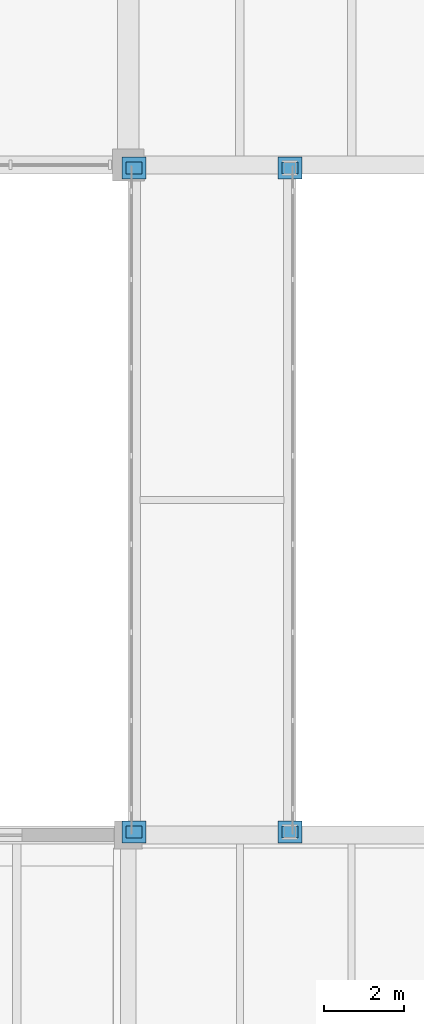
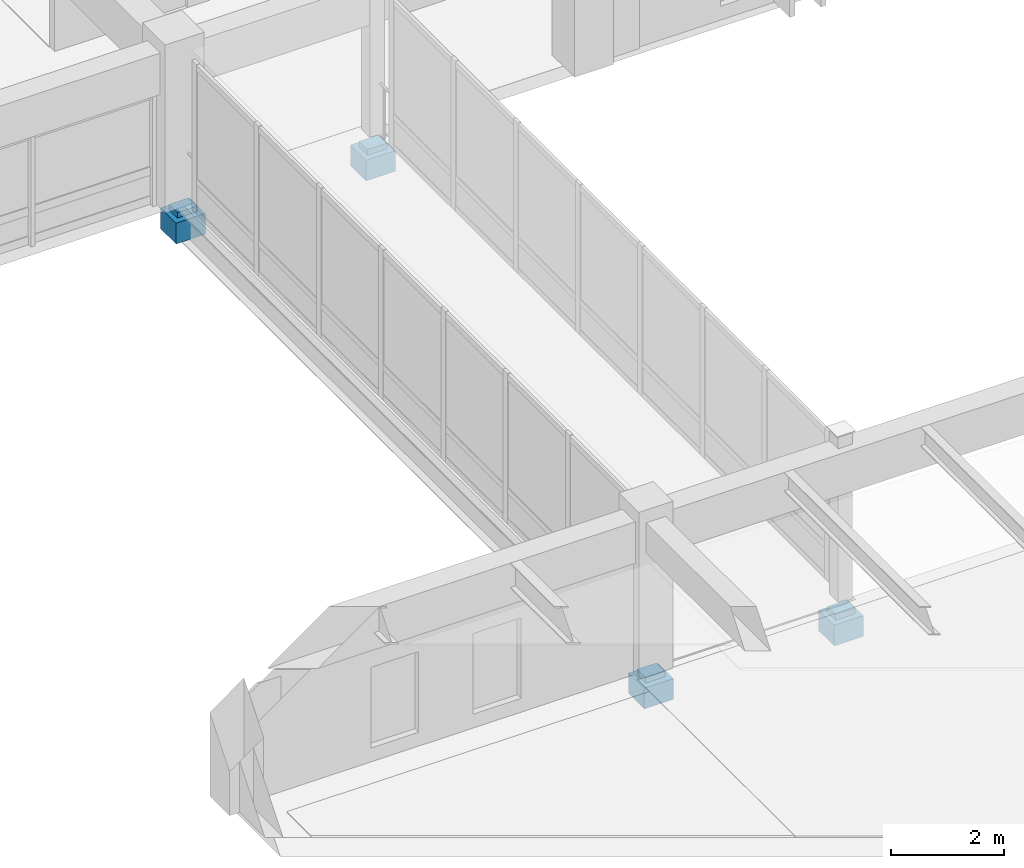
# One storey, part 87 of 118: 8 discrete accessories.
"""IFC4 building model written with IfcOpenShell, lengths in metres."""

from ifc_helpers import new_model, si_unit, direction, frame, origin, origin_2d, place, context, subcontext, project, spatial, rectangle, extrude, material, type_object, element, save


model = new_model("IFC4")

# Units and contexts
model_context = context("Model", 3, precision=1e-05, world=origin(), true_north=direction((0.0, 1.0)))
body_context = subcontext(model_context, "Body", "Model", "MODEL_VIEW")
ifc_project = project(units=[si_unit("LENGTHUNIT", "METRE"), si_unit("AREAUNIT", "SQUARE_METRE"), si_unit("VOLUMEUNIT", "CUBIC_METRE"), si_unit("PLANEANGLEUNIT", "RADIAN"), si_unit("MASSUNIT", "GRAM", prefix="KILO")], contexts=[model_context])

# Site, building, storey
site_placement = place(None, origin())
site = spatial("IfcSite", under=ifc_project, at=site_placement, CompositionType="ELEMENT")
building_placement = place(site_placement, origin())
building = spatial("IfcBuilding", under=site, at=building_placement, Name="Cumbredor Promenade Congress Hotel", CompositionType="ELEMENT")
storey_placement = place(building_placement, frame((0.0, 0.0, 3.919921875)))
storey = spatial("IfcBuildingStorey", under=building, at=storey_placement, Name="L01", CompositionType="ELEMENT", Elevation=3.919921875)

# Discrete accessories
ifc_material_1 = material(Name="Concrete C50/60", Category="concrete")
discrete_accessory_type_1 = type_object("IfcDiscreteAccessoryType", Name="Bridge Seat Corbel RC 600x550", PredefinedType="BRACKET", material=ifc_material_1)
for number, where, z_axis, x_axis, name in (
    (1, (151.35009765625, 67.280029296875, -0.7900390625), (0.0, 0.0, 1.0), (0.0, 1.0, 0.0), "L01 East Ballroom-to-Forum Glazed Bridge 550mm RC Bridge Seat Corbel 1"),
    (2, (155.25, 67.280029296875, -0.7900390625), (0.0, 0.0, 1.0), (0.0, 1.0, 0.0), "L01 East Ballroom-to-Forum Glazed Bridge 550mm RC Bridge Seat Corbel 2"),
    (3, (151.35009765625, 83.919921875, -0.7900390625), (0.0, 0.0, 1.0), (0.0, 1.0, 0.0), "L01 East Ballroom-to-Forum Glazed Bridge 550mm RC Bridge Seat Corbel 3"),
    (4, (155.25, 83.919921875, -0.7900390625), (0.0, 0.0, 1.0), (0.0, 1.0, 0.0), "L01 East Ballroom-to-Forum Glazed Bridge 550mm RC Bridge Seat Corbel 4"),
):
    element("IfcDiscreteAccessory", number, at=place(storey_placement, frame(where, z_axis=z_axis, x_axis=x_axis)), inside=storey, type_object=discrete_accessory_type_1, Name=name, PredefinedType="BRACKET", context=body_context, shape_type="SweptSolid", body=[
        extrude(rectangle(XDim=0.550048828125, YDim=0.60009765625, at=origin_2d()), origin(), (0.0, 0.0, 1.0), 0.449951171875),
    ])
ifc_material_2 = material(Name="Steel ASTM A572 Grade 50", Category="steel")
discrete_accessory_type_2 = type_object("IfcDiscreteAccessoryType", Name="Bridge Unguided PTFE Sliding Bearing BRG-01", PredefinedType="SHOE", material=ifc_material_2)
for number, where, z_axis, x_axis, name in (
    (5, (151.35009765625, 67.280029296875, -0.340087890625), (0.0, 0.0, 1.0), (0.0, 1.0, 0.0), "L01 East Ballroom-to-Forum Glazed Bridge Unguided PTFE Sliding Bearing BRG-01"),
    (6, (155.25, 67.280029296875, -0.340087890625), (0.0, 0.0, 1.0), (0.0, 1.0, 0.0), "L01 East Ballroom-to-Forum Glazed Bridge Unguided PTFE Sliding Bearing BRG-01"),
    (7, (151.35009765625, 83.919921875, -0.340087890625), (0.0, 0.0, 1.0), (0.0, 1.0, 0.0), "L01 East Ballroom-to-Forum Glazed Bridge Unguided PTFE Sliding Bearing BRG-01"),
    (8, (155.25, 83.919921875, -0.340087890625), (0.0, 0.0, 1.0), (0.0, 1.0, 0.0), "L01 East Ballroom-to-Forum Glazed Bridge Unguided PTFE Sliding Bearing BRG-01"),
):
    element("IfcDiscreteAccessory", number, at=place(storey_placement, frame(where, z_axis=z_axis, x_axis=x_axis)), inside=storey, type_object=discrete_accessory_type_2, Name=name, PredefinedType="SHOE", context=body_context, shape_type="SweptSolid", body=[
        extrude(rectangle(XDim=0.300048828125, YDim=0.39990234375, at=origin_2d()), origin(), (0.0, 0.0, 1.0), 0.1201171875),
    ])

save(model, "model.ifc")
